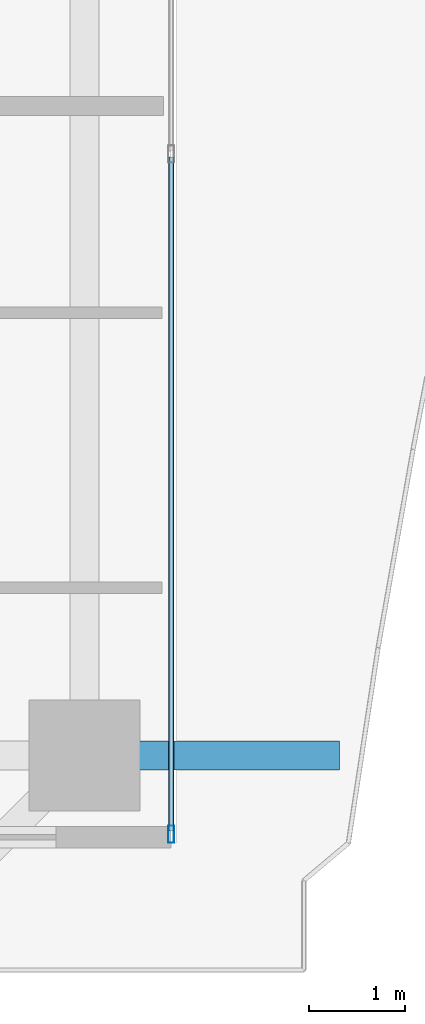
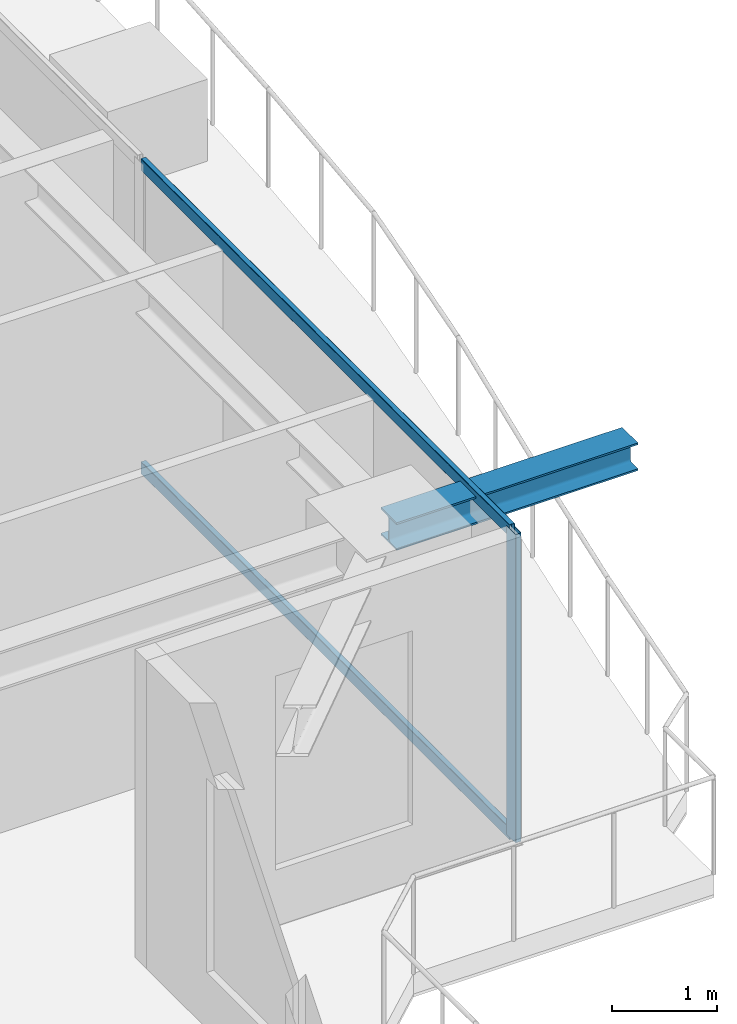
# One storey, part 13 of 38: 3 members, 1 beam, 1 element without a shape of its own.
"""IFC4 building model written with IfcOpenShell, lengths in metres."""

from ifc_helpers import new_model, si_unit, direction, frame, origin, origin_2d, place, context, subcontext, project, spatial, hollow_rectangle, i_section, extrude, source, transform, mapped, material, layer, layer_set, material_profile, profile_set, type_object, element, aggregate, save


model = new_model("IFC4")

# Units and contexts
model_context = context("Model", 3, precision=1e-05, world=origin(), true_north=direction((0.0, 1.0)))
body_context = subcontext(model_context, "Body", "Model", "MODEL_VIEW")
ifc_project = project(units=[si_unit("LENGTHUNIT", "METRE"), si_unit("AREAUNIT", "SQUARE_METRE"), si_unit("VOLUMEUNIT", "CUBIC_METRE"), si_unit("PLANEANGLEUNIT", "RADIAN"), si_unit("MASSUNIT", "GRAM", prefix="KILO")], contexts=[model_context])

# Site, building, storey
site_placement = place(None, origin())
site = spatial("IfcSite", under=ifc_project, at=site_placement, CompositionType="ELEMENT")
building_placement = place(site_placement, origin())
building = spatial("IfcBuilding", under=site, at=building_placement, Name="Serunith Strait Residences", CompositionType="ELEMENT")
storey_placement = place(building_placement, frame((0.0, 0.0, 245.10009765625)))
storey = spatial("IfcBuildingStorey", under=building, at=storey_placement, Name="L61", CompositionType="ELEMENT", Elevation=245.10009765625)

# Beam
ifc_material_1 = material(Name="Steel S355J2", Category="steel")
ifc_material_profile_1 = material_profile(ifc_material_1, i_section(OverallWidth=0.300048828125, OverallDepth=0.320068359375, WebThickness=0.011474609375, FlangeThickness=0.0205078125, FilletRadius=0.027099609375, at=origin_2d()), Name="HEB 320")
ifc_profile_set_1 = profile_set([ifc_material_profile_1], Name="Steel S355J2")
beam_type = type_object("IfcBeamType", Name="BM-HEB320", PredefinedType="BEAM", material=ifc_profile_set_1)
shared_shape_1 = source(origin(), body_context, "Body", "SweptSolid", [
    extrude(i_section(OverallWidth=0.300048828125, OverallDepth=0.320068359375, WebThickness=0.011474609375, FlangeThickness=0.0205078125, FilletRadius=0.027099609375, at=origin_2d()), origin(), (0.0, 0.0, 1.0), 2.648193359375),
])
beam_placement = place(storey_placement, frame((56.5, 10.050048828125, 3.39697265625), z_axis=(1.0, 0.0, 0.0), x_axis=(0.0, 1.0, 0.0)))
element("IfcBeam", 1, at=beam_placement, inside=storey, type_object=beam_type, Name="L62 Cantilevered Balcony Rib TC-E1", PredefinedType="BEAM", context=body_context, shape_type="MappedRepresentation", body=[
    mapped(shared_shape_1, transform((0.0, 0.0, 0.0), scale=1.0)),
])

# Curtain wall, members
ifc_material_2 = material(Name="Pale-Champagne Anodised Aluminium", Category="aluminium")
ifc_layer = layer(ifc_material_2, 0.199951171875, Name="Pale-Champagne Anodised Aluminium")
ifc_layer_set = layer_set([ifc_layer], Name="Pale-Champagne Anodised Aluminium")
curtain_wall_type = type_object("IfcCurtainWallType", Name="CW-SYS4", PredefinedType="NOTDEFINED", material=ifc_layer_set)
curtain_wall_placement = place(storey_placement, origin())
curtain_wall = element("IfcCurtainWall", 2, at=curtain_wall_placement, inside=storey, type_object=curtain_wall_type, Name="L61 E Unitised Fritted Curtain Wall", PredefinedType="NOTDEFINED")
ifc_material_profile_2 = material_profile(ifc_material_2, hollow_rectangle(XDim=0.06494140625, YDim=0.179931640625, WallThickness=0.00341796875, InnerFilletRadius=0.00537109375, OuterFilletRadius=0.0087890625, at=origin_2d()), Name="ALU 180x65x3.5")
ifc_profile_set_2 = profile_set([ifc_material_profile_2], Name="Pale-Champagne Anodised Aluminium")
member_type_1 = type_object("IfcMemberType", Name="CW-SYS4-MULL", PredefinedType="MULLION", material=ifc_profile_set_2)
shared_shape_2 = source(origin(), body_context, "Body", "SweptSolid", [
    extrude(hollow_rectangle(XDim=0.06494140625, YDim=0.179931640625, WallThickness=0.00341796875, InnerFilletRadius=0.00537109375, OuterFilletRadius=0.0087890625, at=origin_2d()), origin(), (0.0, 0.0, 1.0), 3.574951171875),
])
member_1_placement = place(storey_placement, frame((57.39990234375, 9.232421875, 0.0), z_axis=(0.0, 0.0, 1.0), x_axis=(-1.0, 0.0, 0.0)))
member_1 = element("IfcMember", 3, at=member_1_placement, type_object=member_type_1, Name="CW-4 mullion 1", PredefinedType="MULLION", context=body_context, shape_type="MappedRepresentation", body=[
    mapped(shared_shape_2, transform((0.0, 0.0, 0.0), scale=1.0)),
])
ifc_material_profile_3 = material_profile(ifc_material_2, hollow_rectangle(XDim=0.06005859375, YDim=0.139892578125, WallThickness=0.00341796875, InnerFilletRadius=0.00537109375, OuterFilletRadius=0.0087890625, at=origin_2d()), Name="ALU 140x60x3.5")
ifc_profile_set_3 = profile_set([ifc_material_profile_3], Name="Pale-Champagne Anodised Aluminium")
member_type_2 = type_object("IfcMemberType", Name="CW-SYS4-TRAN", PredefinedType="USERDEFINED", material=ifc_profile_set_3)
shared_shape_3 = source(origin(), body_context, "Body", "SweptSolid", [
    extrude(hollow_rectangle(XDim=0.06005859375, YDim=0.139892578125, WallThickness=0.00341796875, InnerFilletRadius=0.00537109375, OuterFilletRadius=0.0087890625, at=origin_2d()), origin(), (0.0, 0.0, 1.0), 7.002685546875),
])
member_2_placement = place(storey_placement, frame((57.39990234375, 9.264892578125, 0.02978515625), z_axis=(0.0, 1.0, 0.0), x_axis=(-1.0, 0.0, 0.0)))
member_2 = element("IfcMember", 4, at=member_2_placement, type_object=member_type_2, Name="CW-4 transom 1.1", ObjectType="TRANSOM", PredefinedType="USERDEFINED", context=body_context, shape_type="MappedRepresentation", body=[
    mapped(shared_shape_3, transform((0.0, 0.0, 0.0), scale=1.0)),
])
member_3_placement = place(storey_placement, frame((57.39990234375, 9.264892578125, 3.544921875), z_axis=(0.0, 1.0, 0.0), x_axis=(-1.0, 0.0, 0.0)))
member_3 = element("IfcMember", 5, at=member_3_placement, type_object=member_type_2, Name="CW-4 transom 1.2", ObjectType="TRANSOM", PredefinedType="USERDEFINED", context=body_context, shape_type="MappedRepresentation", body=[
    mapped(shared_shape_3, transform((0.0, 0.0, 0.0), scale=1.0)),
])
aggregate(curtain_wall, [member_1, member_2, member_3])

save(model, "model.ifc")
